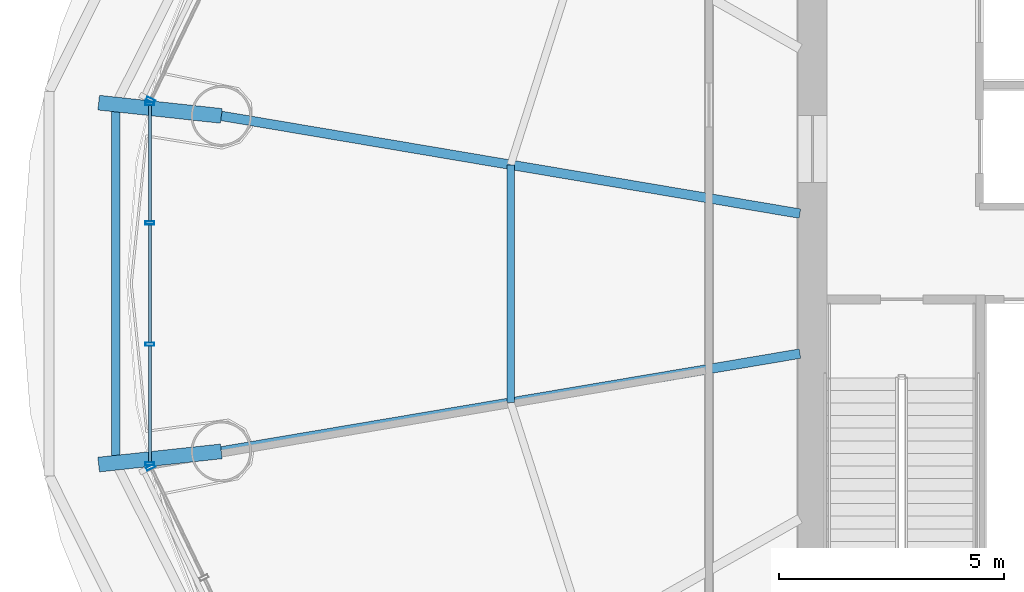
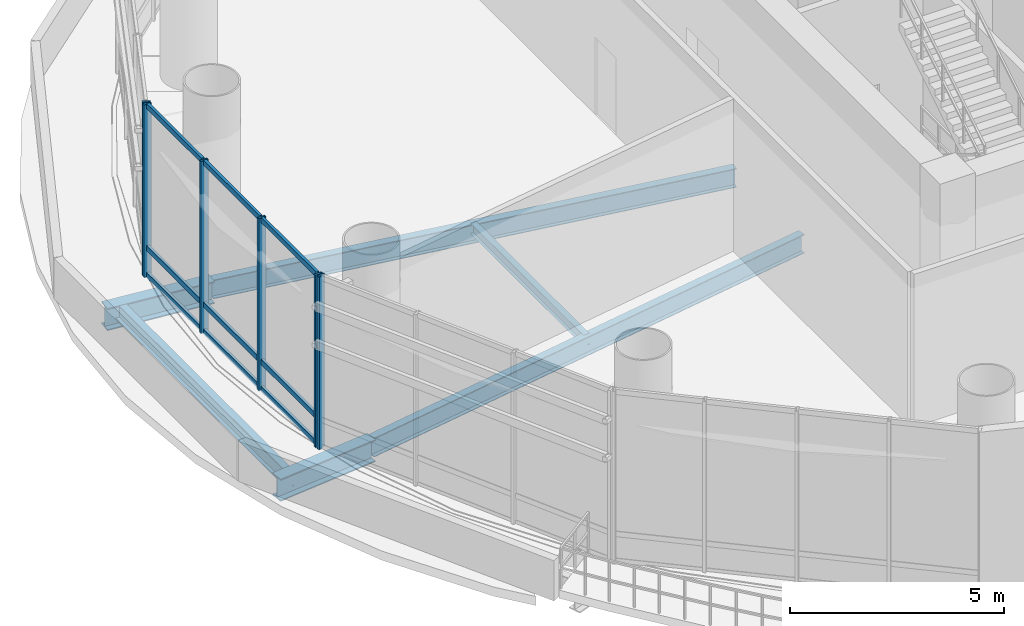
# One storey, part 6 of 29: 15 members, 6 beams, 3 elements without a shape of their own.
"""IFC4 building model written with IfcOpenShell, lengths in metres."""

from ifc_helpers import new_model, si_unit, direction, frame, origin, origin_2d, place, context, subcontext, project, spatial, hollow_rectangle, i_section, extrude, source, transform, mapped, material, material_profile, profile_set, type_object, element, aggregate, save


model = new_model("IFC4")

# Units and contexts
model_context = context("Model", 3, precision=1e-05, world=origin(), true_north=direction((-0.2419218956, 0.970295726276)))
body_context = subcontext(model_context, "Body", "Model", "MODEL_VIEW")
ifc_project = project(units=[si_unit("LENGTHUNIT", "METRE"), si_unit("AREAUNIT", "SQUARE_METRE"), si_unit("VOLUMEUNIT", "CUBIC_METRE"), si_unit("PLANEANGLEUNIT", "RADIAN"), si_unit("MASSUNIT", "GRAM", prefix="KILO")], contexts=[model_context])

# Site, building, storey
site_placement = place(None, origin())
site = spatial("IfcSite", under=ifc_project, at=site_placement, CompositionType="ELEMENT")
building_placement = place(site_placement, origin())
building = spatial("IfcBuilding", under=site, at=building_placement, Name="Cobrevalo Terracotta Tower", CompositionType="ELEMENT")
storey_placement = place(building_placement, frame((0.0, 0.0, 130.199951171875)))
storey = spatial("IfcBuildingStorey", under=building, at=storey_placement, Name="L34", CompositionType="ELEMENT", Elevation=130.199951171875)

# Beams
ifc_material_1 = material(Name="Steel S355", Category="steel")
ifc_material_profile_1 = material_profile(ifc_material_1, i_section(OverallWidth=0.2109375, OverallDepth=0.5390625, WebThickness=0.01171875, FlangeThickness=0.018798828125, at=origin_2d()), Name="W 530x109")
ifc_profile_set_1 = profile_set([ifc_material_profile_1], Name="Steel S355")
beam_type_1 = type_object("IfcBeamType", Name="Structural Beam W 530x109 (Steel S355)", PredefinedType="BEAM", material=ifc_profile_set_1)
for number, where, z_axis, x_axis, name in (
    (1, (15.88330078125, 30.535888671875, -0.719482421875), (0.986032092145, -0.166555435995, 0.0), (0.166555435995, 0.986032092145, 0.0), "L34 radial floor girder 08"),
    (2, (15.88330078125, 23.06396484375, -0.719482421875), (0.986029024106, 0.166573598211, 0.0), (-0.166573598211, 0.986029024106, 0.0), "L34 radial floor girder 09"),
):
    element("IfcBeam", number, at=place(storey_placement, frame(where, z_axis=z_axis, x_axis=x_axis)), inside=storey, type_object=beam_type_1, Name=name, PredefinedType="BEAM", context=body_context, shape_type="SweptSolid", body=[
        extrude(i_section(OverallWidth=0.2109375, OverallDepth=0.5390625, WebThickness=0.01171875, FlangeThickness=0.018798828125, at=origin_2d()), origin(), (0.0, 0.0, 1.0), 13.0693359375),
    ])
ifc_material_profile_2 = material_profile(ifc_material_1, i_section(OverallWidth=0.3291015625, OverallDepth=0.635009765625, WebThickness=0.017822265625, FlangeThickness=0.031005859375, at=origin_2d()), Name="W 610x241")
ifc_profile_set_2 = profile_set([ifc_material_profile_2], Name="Steel S355")
beam_type_2 = type_object("IfcBeamType", Name="Structural Beam W 610x241 (Steel S355)", PredefinedType="BEAM", material=ifc_profile_set_2)
for number, where, z_axis, x_axis, name in (
    (3, (13.151611328125, 30.830322265625, -0.767333984375), (0.994241385365, -0.107163742135, 0.0), (0.107163742135, 0.994241385365, 0.0), "L34 setback step-link girder 08"),
    (4, (13.151611328125, 22.769775390625, -0.767333984375), (0.994250849183, 0.107075902517, 0.0), (-0.107075902517, 0.994250849183, 0.0), "L34 setback step-link girder 09"),
):
    element("IfcBeam", number, at=place(storey_placement, frame(where, z_axis=z_axis, x_axis=x_axis)), inside=storey, type_object=beam_type_2, Name=name, PredefinedType="BEAM", context=body_context, shape_type="SweptSolid", body=[
        extrude(i_section(OverallWidth=0.3291015625, OverallDepth=0.635009765625, WebThickness=0.017822265625, FlangeThickness=0.031005859375, at=origin_2d()), origin(), (0.0, 0.0, 1.0), 2.74755859375),
    ])
ifc_material_profile_3 = material_profile(ifc_material_1, i_section(OverallWidth=0.1650390625, OverallDepth=0.31005859375, WebThickness=0.005859375, FlangeThickness=0.009765625, at=origin_2d()), Name="W 310x38.7")
ifc_profile_set_3 = profile_set([ifc_material_profile_3], Name="Steel S355")
beam_type_3 = type_object("IfcBeamType", Name="Structural Joist W 310x38.7 (Steel S355)", PredefinedType="JOIST", material=ifc_profile_set_3)
beam_1_placement = place(storey_placement, frame((22.32666015625, 29.447509765625, -0.60498046875), z_axis=(0.0, -1.0, 0.0), x_axis=(1.0, 0.0, 0.0)))
element("IfcBeam", 5, at=beam_1_placement, inside=storey, type_object=beam_type_3, Name="L34 circumferential secondary floor joist 08", PredefinedType="JOIST", context=body_context, shape_type="SweptSolid", body=[
    extrude(i_section(OverallWidth=0.1650390625, OverallDepth=0.31005859375, WebThickness=0.005859375, FlangeThickness=0.009765625, at=origin_2d()), origin(), (0.0, 0.0, 1.0), 5.295166015625),
])
ifc_material_profile_4 = material_profile(ifc_material_1, i_section(OverallWidth=0.194091796875, OverallDepth=0.468994140625, WebThickness=0.011474609375, FlangeThickness=0.0205078125, at=origin_2d()), Name="W 460x106")
ifc_profile_set_4 = profile_set([ifc_material_profile_4], Name="Steel S355")
beam_type_4 = type_object("IfcBeamType", Name="Structural Spandrel W 460x106 (Steel S355)", PredefinedType="SPANDREL", material=ifc_profile_set_4)
beam_2_placement = place(storey_placement, frame((13.529296875, 30.78955078125, -0.6845703125), z_axis=(0.0, -1.0, 0.0), x_axis=(1.0, 0.0, 0.0)))
element("IfcBeam", 6, at=beam_2_placement, inside=storey, type_object=beam_type_4, Name="L34 perimeter ring spandrel 08", PredefinedType="SPANDREL", context=body_context, shape_type="SweptSolid", body=[
    extrude(i_section(OverallWidth=0.194091796875, OverallDepth=0.468994140625, WebThickness=0.011474609375, FlangeThickness=0.0205078125, at=origin_2d()), origin(), (0.0, 0.0, 1.0), 7.979248046875),
])

# Curtain wall, member
ifc_material_2 = material(Name="Anodized aluminium", Category="aluminium")
curtain_wall_type = type_object("IfcCurtainWallType", Name="Double-height sky-lobby panoramic curtain wall CW-SK", PredefinedType="NOTDEFINED", material=ifc_material_2)
curtain_wall_1_placement = place(storey_placement, origin())
curtain_wall_1 = element("IfcCurtainWall", 7, at=curtain_wall_1_placement, inside=storey, type_object=curtain_wall_type, Name="L34 curtain wall CW-SK-L34-S07", PredefinedType="NOTDEFINED")
ifc_material_profile_5 = material_profile(ifc_material_2, hollow_rectangle(XDim=0.074951171875, YDim=0.199951171875, WallThickness=0.0048828125, at=origin_2d()), Name="CWM 75x200")
ifc_profile_set_5 = profile_set([ifc_material_profile_5], Name="Anodized aluminium")
member_type_1 = type_object("IfcMemberType", Name="Lower/mid tower unitised mullion 75x200", PredefinedType="MULLION", material=ifc_profile_set_5)
shared_shape_1 = source(origin(), body_context, "Body", "SweptSolid", [
    extrude(hollow_rectangle(XDim=0.074951171875, YDim=0.199951171875, WallThickness=0.0048828125, at=origin_2d()), origin(), (0.0, 0.0, 1.0), 4.929931640625),
])
member_1_placement = place(storey_placement, frame((14.311767578125, 30.887939453125, 0.0), z_axis=(0.0, 0.0, 1.0), x_axis=(-0.434209440271, -0.900811945957, 0.0)))
member_1 = element("IfcMember", 8, at=member_1_placement, type_object=member_type_1, Name="CW-SK-L34-S07 vertical mullion 04", PredefinedType="MULLION", context=body_context, shape_type="MappedRepresentation", body=[
    mapped(shared_shape_1, transform((0.0, 0.0, 0.0), scale=1.0)),
])
aggregate(curtain_wall_1, [member_1])

# Curtain wall, members
curtain_wall_2_placement = place(storey_placement, origin())
curtain_wall_2 = element("IfcCurtainWall", 9, at=curtain_wall_2_placement, inside=storey, type_object=curtain_wall_type, Name="L34 curtain wall CW-SK-L34-S08", PredefinedType="NOTDEFINED")
member_2_placement = place(storey_placement, frame((14.29443359375, 30.81201171875, 0.0), z_axis=(0.0, 0.0, 1.0), x_axis=(0.0, -1.0, 0.0)))
member_2 = element("IfcMember", 10, at=member_2_placement, type_object=member_type_1, Name="CW-SK-L34-S08 vertical mullion 01", PredefinedType="MULLION", context=body_context, shape_type="MappedRepresentation", body=[
    mapped(shared_shape_1, transform((0.0, 0.0, 0.0), scale=1.0)),
])
member_3_placement = place(storey_placement, frame((14.29443359375, 28.150634765625, 0.0), z_axis=(0.0, 0.0, 1.0), x_axis=(0.0, -1.0, 0.0)))
member_3 = element("IfcMember", 11, at=member_3_placement, type_object=member_type_1, Name="CW-SK-L34-S08 vertical mullion 02", PredefinedType="MULLION", context=body_context, shape_type="MappedRepresentation", body=[
    mapped(shared_shape_1, transform((0.0, 0.0, 0.0), scale=1.0)),
])
member_4_placement = place(storey_placement, frame((14.29443359375, 25.44921875, 0.0), z_axis=(0.0, 0.0, 1.0), x_axis=(0.0, -1.0, 0.0)))
member_4 = element("IfcMember", 12, at=member_4_placement, type_object=member_type_1, Name="CW-SK-L34-S08 vertical mullion 03", PredefinedType="MULLION", context=body_context, shape_type="MappedRepresentation", body=[
    mapped(shared_shape_1, transform((0.0, 0.0, 0.0), scale=1.0)),
])
member_5_placement = place(storey_placement, frame((14.29443359375, 22.7880859375, 0.0), z_axis=(0.0, 0.0, 1.0), x_axis=(0.0, -1.0, 0.0)))
member_5 = element("IfcMember", 13, at=member_5_placement, type_object=member_type_1, Name="CW-SK-L34-S08 vertical mullion 04", PredefinedType="MULLION", context=body_context, shape_type="MappedRepresentation", body=[
    mapped(shared_shape_1, transform((0.0, 0.0, 0.0), scale=1.0)),
])

# Curtain wall, member
curtain_wall_3_placement = place(storey_placement, origin())
curtain_wall_3 = element("IfcCurtainWall", 14, at=curtain_wall_3_placement, inside=storey, type_object=curtain_wall_type, Name="L34 curtain wall CW-SK-L34-S09", PredefinedType="NOTDEFINED")
member_6_placement = place(storey_placement, frame((14.311767578125, 22.7119140625, 0.0), z_axis=(0.0, 0.0, 1.0), x_axis=(0.434209440271, -0.900811945957, 0.0)))
member_6 = element("IfcMember", 15, at=member_6_placement, type_object=member_type_1, Name="CW-SK-L34-S09 vertical mullion 01", PredefinedType="MULLION", context=body_context, shape_type="MappedRepresentation", body=[
    mapped(shared_shape_1, transform((0.0, 0.0, 0.0), scale=1.0)),
])
aggregate(curtain_wall_3, [member_6])

# Member
ifc_material_profile_6 = material_profile(ifc_material_2, hollow_rectangle(XDim=0.074951171875, YDim=0.14990234375, WallThickness=0.00439453125, at=origin_2d()), Name="CWT 75x150")
ifc_profile_set_6 = profile_set([ifc_material_profile_6], Name="Anodized aluminium")
member_type_2 = type_object("IfcMemberType", Name="Tower unitised aluminium transom 75x150", PredefinedType="USERDEFINED", material=ifc_profile_set_6)
shared_shape_2 = source(origin(), body_context, "Body", "SweptSolid", [
    extrude(hollow_rectangle(XDim=0.074951171875, YDim=0.14990234375, WallThickness=0.00439453125, at=origin_2d()), origin(), (0.0, 0.0, 1.0), 2.581298828125),
])
member_7_placement = place(storey_placement, frame((14.29443359375, 30.77197265625, 0.050048828125), z_axis=(0.0, -1.0, 0.0), x_axis=(1.0, 0.0, 0.0)))
member_7 = element("IfcMember", 16, at=member_7_placement, type_object=member_type_2, Name="CW-SK-L34-S08 transom B01-T1", ObjectType="TRANSOM", PredefinedType="USERDEFINED", context=body_context, shape_type="MappedRepresentation", body=[
    mapped(shared_shape_2, transform((0.0, 0.0, 0.0), scale=1.0)),
])

member_8_placement = place(storey_placement, frame((14.29443359375, 30.77197265625, 0.820068359375), z_axis=(0.0, -1.0, 0.0), x_axis=(1.0, 0.0, 0.0)))
member_8 = element("IfcMember", 17, at=member_8_placement, type_object=member_type_2, Name="CW-SK-L34-S08 transom B01-T2", ObjectType="TRANSOM", PredefinedType="USERDEFINED", context=body_context, shape_type="MappedRepresentation", body=[
    mapped(shared_shape_2, transform((0.0, 0.0, 0.0), scale=1.0)),
])

member_9_placement = place(storey_placement, frame((14.29443359375, 30.77197265625, 4.880126953125), z_axis=(0.0, -1.0, 0.0), x_axis=(1.0, 0.0, 0.0)))
member_9 = element("IfcMember", 18, at=member_9_placement, type_object=member_type_2, Name="CW-SK-L34-S08 transom B01-T3", ObjectType="TRANSOM", PredefinedType="USERDEFINED", context=body_context, shape_type="MappedRepresentation", body=[
    mapped(shared_shape_2, transform((0.0, 0.0, 0.0), scale=1.0)),
])

shared_shape_3 = source(origin(), body_context, "Body", "SweptSolid", [
    extrude(hollow_rectangle(XDim=0.074951171875, YDim=0.14990234375, WallThickness=0.00439453125, at=origin_2d()), origin(), (0.0, 0.0, 1.0), 2.621337890625),
])
member_10_placement = place(storey_placement, frame((14.29443359375, 28.110595703125, 0.050048828125), z_axis=(0.0, -1.0, 0.0), x_axis=(1.0, 0.0, 0.0)))
member_10 = element("IfcMember", 19, at=member_10_placement, type_object=member_type_2, Name="CW-SK-L34-S08 transom B02-T1", ObjectType="TRANSOM", PredefinedType="USERDEFINED", context=body_context, shape_type="MappedRepresentation", body=[
    mapped(shared_shape_3, transform((0.0, 0.0, 0.0), scale=1.0)),
])

member_11_placement = place(storey_placement, frame((14.29443359375, 28.110595703125, 0.820068359375), z_axis=(0.0, -1.0, 0.0), x_axis=(1.0, 0.0, 0.0)))
member_11 = element("IfcMember", 20, at=member_11_placement, type_object=member_type_2, Name="CW-SK-L34-S08 transom B02-T2", ObjectType="TRANSOM", PredefinedType="USERDEFINED", context=body_context, shape_type="MappedRepresentation", body=[
    mapped(shared_shape_3, transform((0.0, 0.0, 0.0), scale=1.0)),
])

member_12_placement = place(storey_placement, frame((14.29443359375, 28.110595703125, 4.880126953125), z_axis=(0.0, -1.0, 0.0), x_axis=(1.0, 0.0, 0.0)))
member_12 = element("IfcMember", 21, at=member_12_placement, type_object=member_type_2, Name="CW-SK-L34-S08 transom B02-T3", ObjectType="TRANSOM", PredefinedType="USERDEFINED", context=body_context, shape_type="MappedRepresentation", body=[
    mapped(shared_shape_3, transform((0.0, 0.0, 0.0), scale=1.0)),
])

shared_shape_4 = source(origin(), body_context, "Body", "SweptSolid", [
    extrude(hollow_rectangle(XDim=0.074951171875, YDim=0.14990234375, WallThickness=0.00439453125, at=origin_2d()), origin(), (0.0, 0.0, 1.0), 2.58154296875),
])
member_13_placement = place(storey_placement, frame((14.29443359375, 25.409423828125, 0.050048828125), z_axis=(0.0, -1.0, 0.0), x_axis=(1.0, 0.0, 0.0)))
member_13 = element("IfcMember", 22, at=member_13_placement, type_object=member_type_2, Name="CW-SK-L34-S08 transom B03-T1", ObjectType="TRANSOM", PredefinedType="USERDEFINED", context=body_context, shape_type="MappedRepresentation", body=[
    mapped(shared_shape_4, transform((0.0, 0.0, 0.0), scale=1.0)),
])

member_14_placement = place(storey_placement, frame((14.29443359375, 25.409423828125, 0.820068359375), z_axis=(0.0, -1.0, 0.0), x_axis=(1.0, 0.0, 0.0)))
member_14 = element("IfcMember", 23, at=member_14_placement, type_object=member_type_2, Name="CW-SK-L34-S08 transom B03-T2", ObjectType="TRANSOM", PredefinedType="USERDEFINED", context=body_context, shape_type="MappedRepresentation", body=[
    mapped(shared_shape_4, transform((0.0, 0.0, 0.0), scale=1.0)),
])

member_15_placement = place(storey_placement, frame((14.29443359375, 25.409423828125, 4.880126953125), z_axis=(0.0, -1.0, 0.0), x_axis=(1.0, 0.0, 0.0)))
member_15 = element("IfcMember", 24, at=member_15_placement, type_object=member_type_2, Name="CW-SK-L34-S08 transom B03-T3", ObjectType="TRANSOM", PredefinedType="USERDEFINED", context=body_context, shape_type="MappedRepresentation", body=[
    mapped(shared_shape_4, transform((0.0, 0.0, 0.0), scale=1.0)),
])

aggregate(curtain_wall_2, [member_2, member_3, member_4, member_5, member_7, member_8, member_9, member_10, member_11, member_12, member_13, member_14, member_15])

save(model, "model.ifc")
